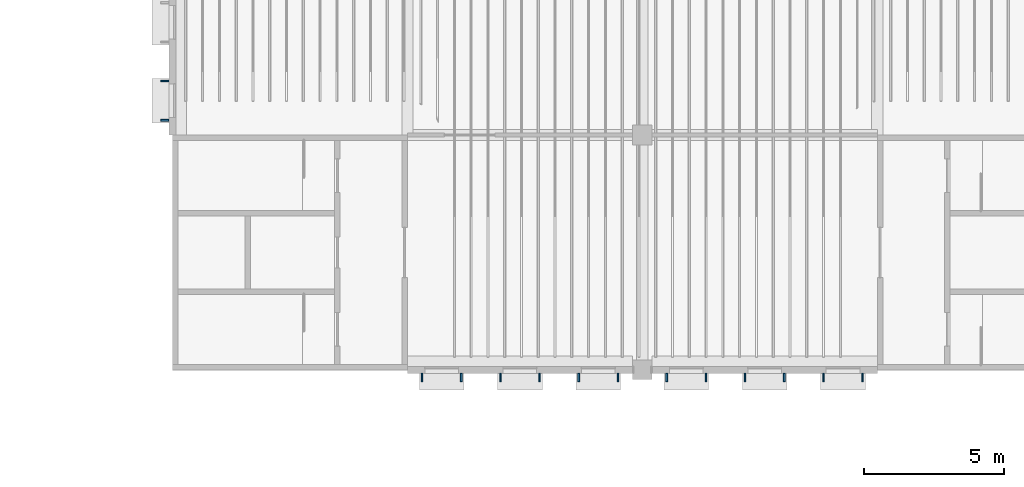
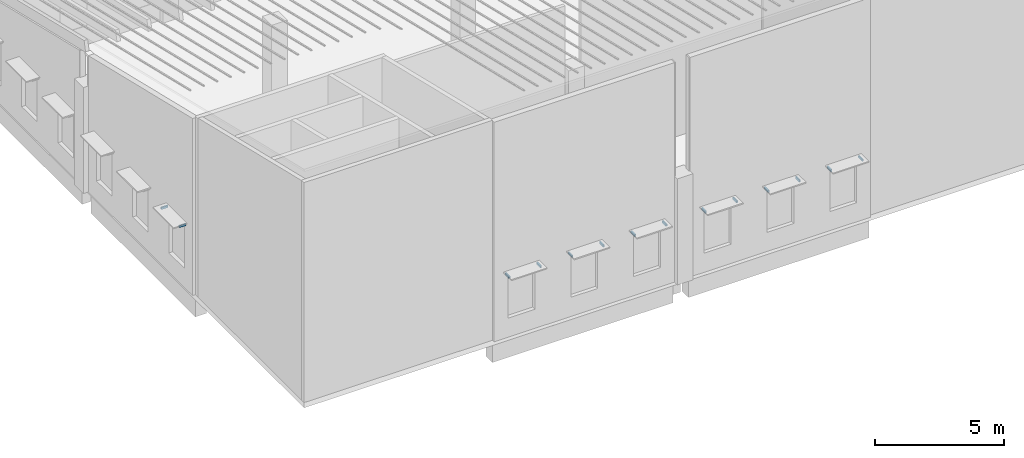
# One storey, part 38 of 82: 14 discrete accessories.
"""IFC4 building model written with IfcOpenShell, lengths in metres."""

import ifcopenshell
import ifcopenshell.guid

model = None  # the IFC model being written
_history = None  # IfcOwnerHistory: only IFC2X3 demands one
_inside = {}  # id of a spatial element -> (the spatial element, [elements in it])
_under = {}  # id of a project, library or spatial element -> (it, [spatial elements below it])
_declared = {}  # id of a project -> (the project, [libraries it declares])
_typed = {}  # id of a type object -> (the type object, [elements of that type])
_made_of = {}  # id of a material, layer set ... -> (it, [elements and type objects made of it])


def new_model(schema):
    """Start an empty IFC model of exactly this schema.

    Asked for "IFC4X3", IfcOpenShell would pick the latest addendum, in which some entities
    have other attributes; the version numbers below select the first issue.
    IFC2X3 requires an IfcOwnerHistory on every rooted entity: one is made here for all.
    """
    global model, _history
    if schema == "IFC4X3":
        model = ifcopenshell.file(schema_version=(4, 3, 0, 0))
    else:
        model = ifcopenshell.file(schema=schema)
    _inside.clear()
    _under.clear()
    _declared.clear()
    _typed.clear()
    _made_of.clear()
    _history = None
    if model.schema == "IFC2X3":
        org = make("IfcOrganization", Name="unknown")
        user = make(
            "IfcPersonAndOrganization",
            ThePerson=make("IfcPerson", FamilyName="unknown"),
            TheOrganization=org,
        )
        app = make(
            "IfcApplication",
            ApplicationDeveloper=org,
            Version="unknown",
            ApplicationFullName="unknown",
            ApplicationIdentifier="unknown",
        )
        _history = make(
            "IfcOwnerHistory",
            OwningUser=user,
            OwningApplication=app,
            ChangeAction="ADDED",
            CreationDate=0,
        )
    return model


def make(cls, **values):
    """One entity of the class cls with the attributes given. An attribute that is None is left unset."""
    return model.create_entity(
        cls, **{name: value for name, value in values.items() if value is not None}
    )


def rooted(cls, **values):
    """An entity with a GlobalId (a new one), such as an element, a storey or a relation."""
    return make(cls, GlobalId=ifcopenshell.guid.new(), OwnerHistory=_history, **values)


def si_unit(unit_type, name, prefix=None):
    """IfcSIUnit, for example si_unit("LENGTHUNIT", "METRE", prefix="MILLI")."""
    return make("IfcSIUnit", UnitType=unit_type, Prefix=prefix, Name=name)


def assignment(units):
    """IfcUnitAssignment: the units of a project."""
    return None if units is None else make("IfcUnitAssignment", Units=units)


def point(xyz):
    """IfcCartesianPoint."""
    return None if xyz is None else make("IfcCartesianPoint", Coordinates=xyz)


def direction(xyz):
    """IfcDirection."""
    return None if xyz is None else make("IfcDirection", DirectionRatios=xyz)


def frame(location, z_axis=None, x_axis=None):
    """IfcAxis2Placement3D, a coordinate frame: its origin and axes. An axis left out is left unset."""
    return make(
        "IfcAxis2Placement3D",
        Location=point(location),
        Axis=direction(z_axis),
        RefDirection=direction(x_axis),
    )


def frame_2d(location, x_axis=None):
    """IfcAxis2Placement2D, a coordinate frame in the plane: its origin and x axis."""
    return make(
        "IfcAxis2Placement2D", Location=point(location), RefDirection=direction(x_axis)
    )


def origin():
    """The frame at (0, 0, 0) with its axes left unset."""
    return frame((0.0, 0.0, 0.0))


def origin_2d():
    """The frame at (0, 0) in the plane with its x axis left unset."""
    return frame_2d((0.0, 0.0))


def place(relative_to, where):
    """IfcLocalPlacement: puts the frame where relative to a parent placement (None: the world)."""
    return make(
        "IfcLocalPlacement", PlacementRelTo=relative_to, RelativePlacement=where
    )


def context(
    kind, dimensions, precision=None, world=None, true_north=None, identifier=None
):
    """IfcGeometricRepresentationContext, for example the 3D "Model" context."""
    return make(
        "IfcGeometricRepresentationContext",
        ContextIdentifier=identifier,
        ContextType=kind,
        CoordinateSpaceDimension=dimensions,
        Precision=precision,
        WorldCoordinateSystem=world,
        TrueNorth=true_north,
    )


def subcontext(parent, identifier, kind, view, scale=None):
    """IfcGeometricRepresentationSubContext, for example "Body" below "Model"."""
    return make(
        "IfcGeometricRepresentationSubContext",
        ContextIdentifier=identifier,
        ContextType=kind,
        ParentContext=parent,
        TargetScale=scale,
        TargetView=view,
    )


def project(units=None, contexts=None):
    """IfcProject with its units and contexts."""
    return rooted(
        "IfcProject",
        Name="project",
        RepresentationContexts=contexts,
        UnitsInContext=assignment(units),
    )


def spatial(cls, under=None, at=None, **own):
    """A site, building, storey or space (cls), placed at a placement, below another one or the project."""
    s = rooted(cls, ObjectPlacement=at, **own)
    if under is not None:
        _under.setdefault(under.id(), (under, []))[1].append(s)
    return s


def profile(cls, at=None, kind="AREA", **sizes):
    """A parametric profile (cls). Its sizes go by their IFC names, for example OverallWidth=200.0."""
    return make(cls, ProfileType=kind, Position=at, **sizes)


def rectangle(**sizes):
    """IfcRectangleProfileDef."""
    return profile("IfcRectangleProfileDef", **sizes)


def extrude(swept, where, along, depth):
    """IfcExtrudedAreaSolid: the profile swept, set in the frame where, extruded along a direction by depth."""
    return make(
        "IfcExtrudedAreaSolid",
        SweptArea=swept,
        Position=where,
        ExtrudedDirection=direction(along),
        Depth=depth,
    )


def shape(context_of_items, identifier, shape_type, items):
    """IfcShapeRepresentation: the items that make up one representation, for example the "Body"."""
    return make(
        "IfcShapeRepresentation",
        ContextOfItems=context_of_items,
        RepresentationIdentifier=identifier,
        RepresentationType=shape_type,
        Items=items,
    )


def material(Name=None, Category=None):
    """IfcMaterial."""
    return make("IfcMaterial", Name=Name, Category=Category)


def made_of(thing, what):
    """Note that an element or type object is made of a material, layer set ...; save() writes the relation."""
    if what is not None:
        _made_of.setdefault(what.id(), (what, []))[1].append(thing)
    return thing


def type_object(cls, material=None, **own):
    """A type object (cls), such as IfcWallType, which elements share."""
    return made_of(rooted(cls, **own), material)


def element(
    cls,
    number,
    at=None,
    inside=None,
    cuts=None,
    type_object=None,
    material=None,
    context=None,
    identifier="Body",
    shape_type=None,
    held_by="IfcProductDefinitionShape",
    body=None,
    shapes=None,
    **own,
):
    """One element of the class cls, such as IfcWall. Its Tag is "e" and its number.

    at: its placement. inside: the storey or other place that contains it. cuts: it is an
    opening in that element (IfcRelVoidsElement). A single representation is given by context,
    identifier, shape_type and body (its items); several are given by shapes. held_by: the class
    of the entity that holds the representations. save() writes the other relations.
    """
    e = rooted(cls, Tag="e%d" % number, ObjectPlacement=at, **own)
    if body is not None:
        shapes = [shape(context, identifier, shape_type, body)]
    if shapes is not None:
        e.Representation = make(held_by, Representations=shapes)
    if inside is not None:
        _inside.setdefault(inside.id(), (inside, []))[1].append(e)
    if cuts is not None:
        rooted(
            "IfcRelVoidsElement", RelatingBuildingElement=cuts, RelatedOpeningElement=e
        )
    if type_object is not None:
        _typed.setdefault(type_object.id(), (type_object, []))[1].append(e)
    return made_of(e, material)


def aggregate(whole, parts):
    """IfcRelAggregates: a whole, such as a stair, and the parts it consists of."""
    return rooted("IfcRelAggregates", RelatingObject=whole, RelatedObjects=parts)


def save(model, path):
    """Write the relations noted so far, then the file.

    IfcRelAggregates (storeys below a building ...), IfcRelContainedInSpatialStructure (elements
    in a storey), IfcRelDefinesByType, IfcRelAssociatesMaterial and IfcRelDeclares: one each for
    every whole, place, type object, material and project.
    """
    for whole, parts in _under.values():
        aggregate(whole, parts)
    for where, things in _inside.values():
        rooted(
            "IfcRelContainedInSpatialStructure",
            RelatedElements=things,
            RelatingStructure=where,
        )
    for kind, things in _typed.values():
        rooted("IfcRelDefinesByType", RelatedObjects=things, RelatingType=kind)
    for what, things in _made_of.values():
        rooted("IfcRelAssociatesMaterial", RelatedObjects=things, RelatingMaterial=what)
    for by, libraries in _declared.values():
        rooted("IfcRelDeclares", RelatingContext=by, RelatedDefinitions=libraries)
    model.write(path)


model = new_model("IFC4")

# Units and contexts
model_context = context("Model", 3, precision=1e-05, world=origin(), true_north=direction((0.0, 1.0)))
body_context = subcontext(model_context, "Body", "Model", "MODEL_VIEW")
ifc_project = project(units=[si_unit("LENGTHUNIT", "METRE"), si_unit("AREAUNIT", "SQUARE_METRE"), si_unit("VOLUMEUNIT", "CUBIC_METRE"), si_unit("PLANEANGLEUNIT", "RADIAN"), si_unit("MASSUNIT", "GRAM", prefix="KILO")], contexts=[model_context])

# Site, building, storey
site_placement = place(None, origin())
site = spatial("IfcSite", under=ifc_project, at=site_placement, CompositionType="ELEMENT")
building_placement = place(site_placement, origin())
building = spatial("IfcBuilding", under=site, at=building_placement, Name="Almond Square Museum", CompositionType="ELEMENT")
storey_placement = place(building_placement, frame((0.0, 0.0, 20.0)))
storey = spatial("IfcBuildingStorey", under=building, at=storey_placement, Name="L03", CompositionType="ELEMENT", Elevation=20.0)

# Discrete accessories
ifc_material = material(Name="Stainless steel", Category="steel")
discrete_accessory_type = type_object("IfcDiscreteAccessoryType", Name="Sun-shade blade bracket", PredefinedType="BRACKET", material=ifc_material)
for number, where, z_axis, x_axis, name in (
    (1, (39.326904296875, 92.925048828125, 2.9970703125), (0.0, 0.0, 1.0), (1.0, 0.0, 0.0), "Bracket sun-shade blade"),
    (2, (39.326904296875, 94.324951171875, 2.9970703125), (0.0, 0.0, 1.0), (1.0, 0.0, 0.0), "Bracket sun-shade blade"),
):
    element("IfcDiscreteAccessory", number, at=place(storey_placement, frame(where, z_axis=z_axis, x_axis=x_axis)), inside=storey, type_object=discrete_accessory_type, Name=name, PredefinedType="BRACKET", context=body_context, shape_type="SweptSolid", body=[
        extrude(rectangle(XDim=0.300048828125, YDim=0.06005859375, at=origin_2d()), origin(), (0.0, 0.0, 1.0), 0.10009765625),
    ])
for number, where, z_axis, x_axis, name in (
    (3, (48.52490234375, 83.72705078125, 2.9970703125), (0.0, 0.0, 1.0), (1.0, 0.0, 0.0), "Bracket sun-shade blade"),
    (4, (49.925048828125, 83.72705078125, 2.9970703125), (0.0, 0.0, 1.0), (1.0, 0.0, 0.0), "Bracket sun-shade blade"),
    (5, (51.324951171875, 83.72705078125, 2.9970703125), (0.0, 0.0, 1.0), (1.0, 0.0, 0.0), "Bracket sun-shade blade"),
    (6, (52.72509765625, 83.72705078125, 2.9970703125), (0.0, 0.0, 1.0), (1.0, 0.0, 0.0), "Bracket sun-shade blade"),
    (7, (54.125, 83.72705078125, 2.9970703125), (0.0, 0.0, 1.0), (1.0, 0.0, 0.0), "Bracket sun-shade blade"),
    (8, (55.52490234375, 83.72705078125, 2.9970703125), (0.0, 0.0, 1.0), (1.0, 0.0, 0.0), "Bracket sun-shade blade"),
    (9, (57.27490234375, 83.72705078125, 2.9970703125), (0.0, 0.0, 1.0), (1.0, 0.0, 0.0), "Bracket sun-shade blade"),
    (10, (58.675048828125, 83.72705078125, 2.9970703125), (0.0, 0.0, 1.0), (1.0, 0.0, 0.0), "Bracket sun-shade blade"),
    (11, (60.074951171875, 83.72705078125, 2.9970703125), (0.0, 0.0, 1.0), (1.0, 0.0, 0.0), "Bracket sun-shade blade"),
    (12, (61.47509765625, 83.72705078125, 2.9970703125), (0.0, 0.0, 1.0), (1.0, 0.0, 0.0), "Bracket sun-shade blade"),
    (13, (62.875, 83.72705078125, 2.9970703125), (0.0, 0.0, 1.0), (1.0, 0.0, 0.0), "Bracket sun-shade blade"),
    (14, (64.27490234375, 83.72705078125, 2.9970703125), (0.0, 0.0, 1.0), (1.0, 0.0, 0.0), "Bracket sun-shade blade"),
):
    element("IfcDiscreteAccessory", number, at=place(storey_placement, frame(where, z_axis=z_axis, x_axis=x_axis)), inside=storey, type_object=discrete_accessory_type, Name=name, PredefinedType="BRACKET", context=body_context, shape_type="SweptSolid", body=[
        extrude(rectangle(XDim=0.06005859375, YDim=0.300048828125, at=origin_2d()), origin(), (0.0, 0.0, 1.0), 0.10009765625),
    ])

save(model, "model.ifc")
